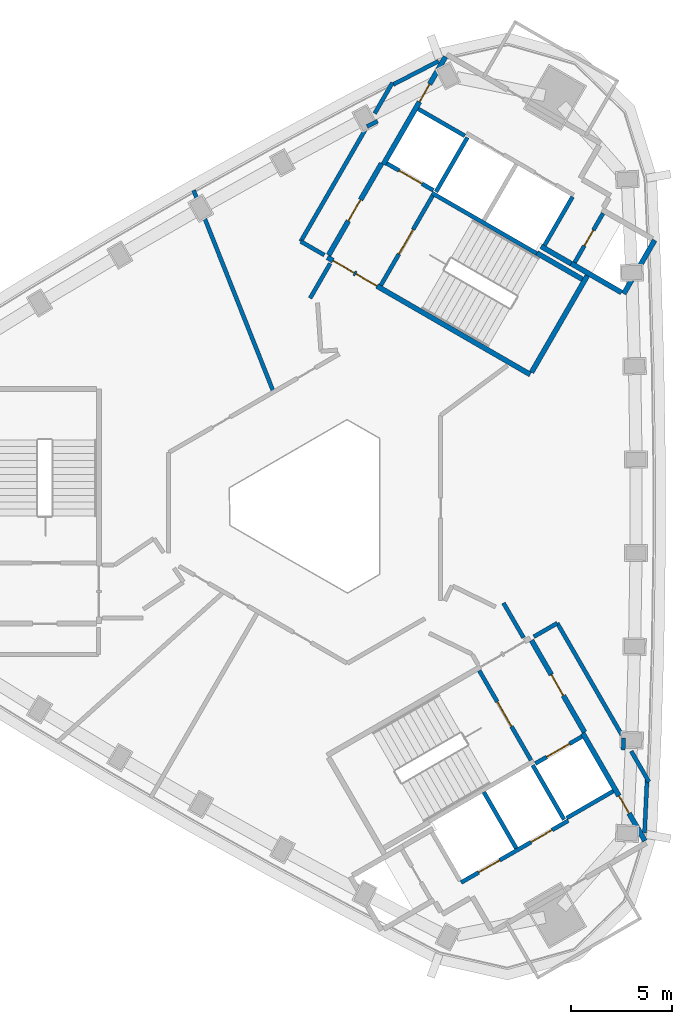
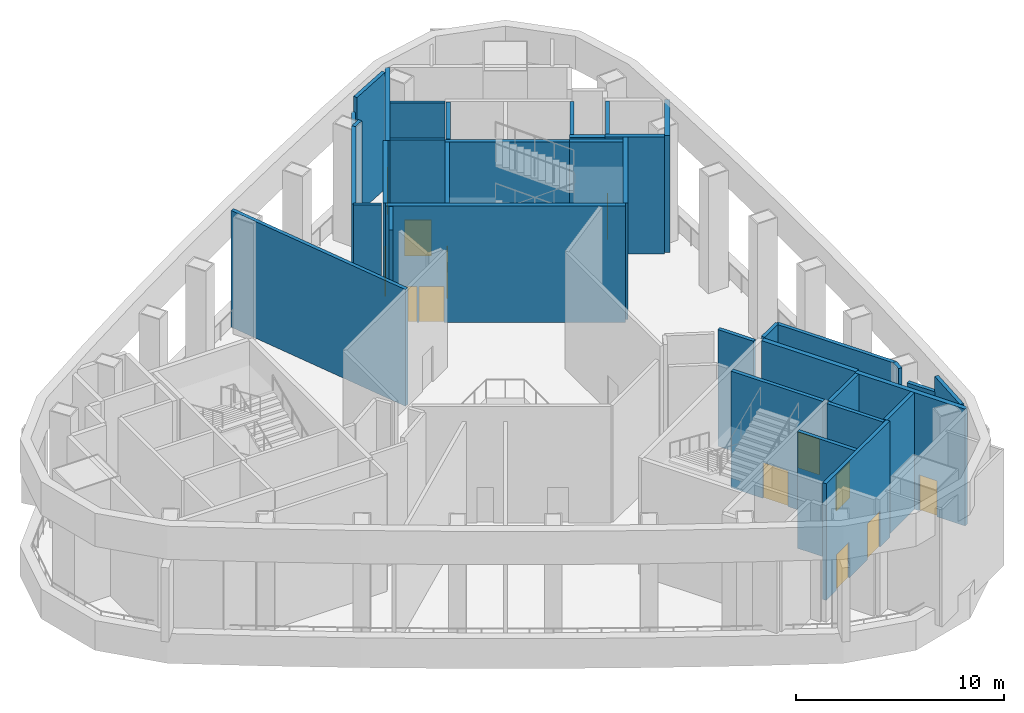
# One storey, part 4 of 8: 36 walls, 13 doors, 13 openings.
"""IFC4 building model written with IfcOpenShell, lengths in metres."""

from ifc_helpers import new_model, si_unit, direction, frame, frame_2d, origin, place, context, subcontext, project, spatial, rectangle, extrude, material, layer, layer_set, type_object, element, fill, save


model = new_model("IFC4")

# Units and contexts
model_context = context("Model", 3, precision=1e-05, world=origin(), true_north=direction((0.0, 1.0)))
body_context = subcontext(model_context, "Body", "Model", "MODEL_VIEW")
ifc_project = project(units=[si_unit("LENGTHUNIT", "METRE"), si_unit("AREAUNIT", "SQUARE_METRE"), si_unit("VOLUMEUNIT", "CUBIC_METRE"), si_unit("PLANEANGLEUNIT", "RADIAN"), si_unit("MASSUNIT", "GRAM", prefix="KILO")], contexts=[model_context])

# Site, building, storey
site_placement = place(None, origin())
site = spatial("IfcSite", under=ifc_project, at=site_placement, CompositionType="ELEMENT")
building_placement = place(site_placement, origin())
building = spatial("IfcBuilding", under=site, at=building_placement, Name="Tamra Quay Hotel Tower", CompositionType="ELEMENT")
storey_placement = place(building_placement, frame((0.0, 0.0, 283.800048828125)))
storey = spatial("IfcBuildingStorey", under=building, at=storey_placement, Name="L72", CompositionType="ELEMENT", Elevation=283.800048828125)

# Wall
ifc_material_1 = material(Name="Concrete M70", Category="concrete")
ifc_layer_1 = layer(ifc_material_1, 0.199951171875)
ifc_layer_set_1 = layer_set([ifc_layer_1], Name="Concrete M70 core wall 200")
wall_type_1 = type_object("IfcWallType", Name="Concrete M70 core wall 200", PredefinedType="SHEAR", material=ifc_layer_set_1)
wall_1_placement = place(storey_placement, frame((10.7431640625, 12.4599609375, 0.0), z_axis=(0.0, 0.0, 1.0), x_axis=(-0.866018848283, 0.500011354289, 0.0)))
element("IfcWall", 1, at=wall_1_placement, inside=storey, type_object=wall_type_1, Name="CW2", PredefinedType="SHEAR", context=body_context, shape_type="SweptSolid", body=[
    extrude(rectangle(XDim=5.973876953125, YDim=0.199951171875, at=frame_2d((2.98681640625, 0.0))), origin(), (0.0, 0.0, 1.0), 6.849853515625),
])

# Wall, opening, door
wall_2_placement = place(storey_placement, frame((3.056640625, 10.89453125, 0.0), z_axis=(0.0, 0.0, 1.0), x_axis=(0.500027839223, 0.866009330205, 0.0)))
wall_2 = element("IfcWall", 2, at=wall_2_placement, inside=storey, type_object=wall_type_1, Name="CW2", PredefinedType="SHEAR", context=body_context, shape_type="SweptSolid", body=[
    extrude(rectangle(XDim=5.097900390625, YDim=0.199951171875, at=frame_2d((2.548828125, 0.0))), origin(), (0.0, 0.0, 1.0), 6.849853515625),
])
opening_1_placement = place(wall_2_placement, frame((1.77392578125, 0.0, 0.0)))
opening_1 = element("IfcOpeningElement", 3, at=opening_1_placement, cuts=wall_2, Name="Opening FD2", PredefinedType="OPENING", context=body_context, shape_type="SweptSolid", body=[
    extrude(rectangle(XDim=1.39990234375, YDim=2.10009765625, at=frame_2d((0.699951171875, 1.050048828125))), frame((0.0, 0.10986328125, 0.0), z_axis=(0.0, -1.0, 0.0), x_axis=(1.0, 0.0, 0.0)), (0.0, 0.0, 1.0), 0.219970703125),
])
ifc_material_2 = material(Name="Core door FD2 1400x2100 LH")
door_type_1 = type_object("IfcDoorType", Name="Core door FD2 1400x2100 LH", OperationType="NOTDEFINED", PredefinedType="DOOR", material=ifc_material_2)
door_1_placement = place(opening_1_placement, origin())
door_1 = element("IfcDoor", 4, at=door_1_placement, inside=storey, type_object=door_type_1, Name="FD2", OperationType="SINGLE_SWING_LEFT", OverallHeight=2.10009765625, OverallWidth=1.39990234375, PredefinedType="DOOR", context=body_context, shape_type="SweptSolid", body=[
    extrude(rectangle(XDim=1.39990234375, YDim=2.10009765625, at=frame_2d((0.699951171875, 1.050048828125))), frame((0.0, 0.02490234375, 0.0), z_axis=(0.0, -1.0, 0.0), x_axis=(1.0, 0.0, 0.0)), (0.0, 0.0, 1.0), 0.050048828125),
])
fill(opening_1, door_1)

wall_3_placement = place(storey_placement, frame((14.0078125, 14.442138671875, 0.0), z_axis=(0.0, 0.0, 1.0), x_axis=(-0.499986818241, -0.866033014143, 0.0)))
wall_3 = element("IfcWall", 5, at=wall_3_placement, inside=storey, type_object=wall_type_1, Name="CW2", PredefinedType="SHEAR", context=body_context, shape_type="SweptSolid", body=[
    extrude(rectangle(XDim=2.7978515625, YDim=0.199951171875, at=frame_2d((1.39892578125, 0.0))), origin(), (0.0, 0.0, 1.0), 6.849853515625),
])
opening_2_placement = place(wall_3_placement, frame((0.948974609375, 0.0, 0.0)))
opening_2 = element("IfcOpeningElement", 6, at=opening_2_placement, cuts=wall_3, Name="Opening D1", PredefinedType="OPENING", context=body_context, shape_type="SweptSolid", body=[
    extrude(rectangle(XDim=0.89990234375, YDim=2.10009765625, at=frame_2d((0.449951171875, 1.050048828125))), frame((0.0, 0.10986328125, 0.0), z_axis=(0.0, -1.0, 0.0), x_axis=(1.0, 0.0, 0.0)), (0.0, 0.0, 1.0), 0.219970703125),
])
ifc_material_3 = material(Name="Core door D1 900x2100 RH")
door_type_2 = type_object("IfcDoorType", Name="Core door D1 900x2100 RH", OperationType="NOTDEFINED", PredefinedType="DOOR", material=ifc_material_3)
door_2_placement = place(opening_2_placement, origin())
door_2 = element("IfcDoor", 7, at=door_2_placement, inside=storey, type_object=door_type_2, Name="D1", OperationType="SINGLE_SWING_RIGHT", OverallHeight=2.10009765625, OverallWidth=0.89990234375, PredefinedType="DOOR", context=body_context, shape_type="SweptSolid", body=[
    extrude(rectangle(XDim=0.89990234375, YDim=2.10009765625, at=frame_2d((0.449951171875, 1.050048828125))), frame((0.0, 0.02490234375, 0.0), z_axis=(0.0, -1.0, 0.0), x_axis=(1.0, 0.0, 0.0)), (0.0, 0.0, 1.0), 0.050048828125),
])
fill(opening_2, door_2)

# Walls
wall_4_placement = place(storey_placement, frame((12.50244140625, 15.2548828125, 0.0), z_axis=(0.0, 0.0, 1.0), x_axis=(-0.499965018551, -0.866045599391, 0.0)))
element("IfcWall", 8, at=wall_4_placement, inside=storey, type_object=wall_type_1, Name="CW2", PredefinedType="SHEAR", context=body_context, shape_type="SweptSolid", body=[
    extrude(rectangle(XDim=2.759033203125, YDim=0.199951171875, at=frame_2d((1.37939453125, 0.0))), origin(), (0.0, 0.0, 1.0), 6.849853515625),
])
wall_5_placement = place(storey_placement, frame((7.324462890625, 18.1865234375, 0.0), z_axis=(0.0, 0.0, 1.0), x_axis=(-0.499967891604, -0.866043940782, 0.0)))
element("IfcWall", 9, at=wall_5_placement, inside=storey, type_object=wall_type_1, Name="CW2", PredefinedType="SHEAR", context=body_context, shape_type="SweptSolid", body=[
    extrude(rectangle(XDim=3.099853515625, YDim=0.199951171875, at=frame_2d((1.5498046875, 0.0))), origin(), (0.0, 0.0, 1.0), 6.849853515625),
])

# Wall, opening, door
wall_6_placement = place(storey_placement, frame((5.646240234375, 15.575927734375, 0.0), z_axis=(0.0, 0.0, 1.0), x_axis=(-0.866018407898, 0.500012117035, 0.0)))
wall_6 = element("IfcWall", 10, at=wall_6_placement, inside=storey, type_object=wall_type_1, Name="CW2", PredefinedType="SHEAR", context=body_context, shape_type="SweptSolid", body=[
    extrude(rectangle(XDim=2.65087890625, YDim=0.199951171875, at=frame_2d((1.325439453125, 0.0))), origin(), (0.0, 0.0, 1.0), 6.849853515625),
])
opening_3_placement = place(wall_6_placement, frame((0.65185546875, 0.0, 0.0)))
opening_3 = element("IfcOpeningElement", 11, at=opening_3_placement, cuts=wall_6, Name="Opening LD", PredefinedType="OPENING", context=body_context, shape_type="SweptSolid", body=[
    extrude(rectangle(XDim=1.300048828125, YDim=2.10009765625, at=frame_2d((0.64990234375, 1.050048828125))), frame((0.0, 0.10986328125, 0.0), z_axis=(0.0, -1.0, 0.0), x_axis=(1.0, 0.0, 0.0)), (0.0, 0.0, 1.0), 0.219970703125),
])
ifc_material_4 = material(Name="Landing door LD 1300 sliding to right")
door_type_3 = type_object("IfcDoorType", Name="Landing door LD 1300 sliding to right", OperationType="NOTDEFINED", PredefinedType="DOOR", material=ifc_material_4)
door_3_placement = place(opening_3_placement, origin())
door_3 = element("IfcDoor", 12, at=door_3_placement, inside=storey, type_object=door_type_3, Name="LD", OperationType="SLIDING_TO_RIGHT", OverallHeight=2.10009765625, OverallWidth=1.300048828125, PredefinedType="DOOR", context=body_context, shape_type="SweptSolid", body=[
    extrude(rectangle(XDim=1.300048828125, YDim=2.10009765625, at=frame_2d((0.64990234375, 1.050048828125))), frame((0.0, 0.02490234375, 0.0), z_axis=(0.0, -1.0, 0.0), x_axis=(1.0, 0.0, 0.0)), (0.0, 0.0, 1.0), 0.050048828125),
])
fill(opening_3, door_3)

# Wall
wall_7_placement = place(storey_placement, frame((7.1962890625, 18.260498046875, 0.0), z_axis=(0.0, 0.0, 1.0), x_axis=(-0.866018407898, 0.500012117035, 0.0)))
element("IfcWall", 13, at=wall_7_placement, inside=storey, type_object=wall_type_1, Name="CW2", PredefinedType="SHEAR", context=body_context, shape_type="SweptSolid", body=[
    extrude(rectangle(XDim=2.65087890625, YDim=0.199951171875, at=frame_2d((1.325439453125, 0.0))), origin(), (0.0, 0.0, 1.0), 6.849853515625),
])

# Wall, openings, doors
wall_8_placement = place(storey_placement, frame((7.009765625, -18.54150390625, 0.0), z_axis=(0.0, 0.0, 1.0), x_axis=(0.866030299012, 0.499991521122, 0.0)))
wall_8 = element("IfcWall", 14, at=wall_8_placement, inside=storey, type_object=wall_type_1, Name="CW2", PredefinedType="SHEAR", context=body_context, shape_type="SweptSolid", body=[
    extrude(rectangle(XDim=6.10009765625, YDim=0.199951171875, at=frame_2d((3.050048828125, 0.0))), origin(), (0.0, 0.0, 1.0), 6.849853515625),
])
opening_4_placement = place(wall_8_placement, frame((1.0, 0.0, 0.0)))
opening_4 = element("IfcOpeningElement", 15, at=opening_4_placement, cuts=wall_8, Name="Opening LD", PredefinedType="OPENING", context=body_context, shape_type="SweptSolid", body=[
    extrude(rectangle(XDim=1.199951171875, YDim=2.10009765625, at=frame_2d((0.60009765625, 1.050048828125))), frame((0.0, 0.10986328125, 0.0), z_axis=(0.0, -1.0, 0.0), x_axis=(1.0, 0.0, 0.0)), (0.0, 0.0, 1.0), 0.219970703125),
])
opening_5_placement = place(wall_8_placement, frame((3.982177734375, 0.0, 0.0)))
opening_5 = element("IfcOpeningElement", 16, at=opening_5_placement, cuts=wall_8, Name="Opening LD", PredefinedType="OPENING", context=body_context, shape_type="SweptSolid", body=[
    extrude(rectangle(XDim=1.199951171875, YDim=2.10009765625, at=frame_2d((0.60009765625, 1.050048828125))), frame((0.0, 0.10986328125, 0.0), z_axis=(0.0, -1.0, 0.0), x_axis=(1.0, 0.0, 0.0)), (0.0, 0.0, 1.0), 0.219970703125),
])
ifc_material_5 = material(Name="Landing door LD 1200 double door sliding")
door_type_4 = type_object("IfcDoorType", Name="Landing door LD 1200 double door sliding", OperationType="DOUBLE_DOOR_SLIDING", PredefinedType="DOOR", material=ifc_material_5)
door_4_placement = place(opening_4_placement, origin())
door_4 = element("IfcDoor", 17, at=door_4_placement, inside=storey, type_object=door_type_4, Name="LD", OperationType="DOUBLE_DOOR_SLIDING", OverallHeight=2.10009765625, OverallWidth=1.199951171875, PredefinedType="DOOR", context=body_context, shape_type="SweptSolid", body=[
    extrude(rectangle(XDim=1.199951171875, YDim=2.10009765625, at=frame_2d((0.60009765625, 1.050048828125))), frame((0.0, 0.02490234375, 0.0), z_axis=(0.0, -1.0, 0.0), x_axis=(1.0, 0.0, 0.0)), (0.0, 0.0, 1.0), 0.050048828125),
])
fill(opening_4, door_4)
door_5_placement = place(opening_5_placement, origin())
door_5 = element("IfcDoor", 18, at=door_5_placement, inside=storey, type_object=door_type_4, Name="LD", OperationType="DOUBLE_DOOR_SLIDING", OverallHeight=2.10009765625, OverallWidth=1.199951171875, PredefinedType="DOOR", context=body_context, shape_type="SweptSolid", body=[
    extrude(rectangle(XDim=1.199951171875, YDim=2.10009765625, at=frame_2d((0.60009765625, 1.050048828125))), frame((0.0, 0.02490234375, 0.0), z_axis=(0.0, -1.0, 0.0), x_axis=(1.0, 0.0, 0.0)), (0.0, 0.0, 1.0), 0.050048828125),
])
fill(opening_5, door_5)

# Wall, opening, door
wall_9_placement = place(storey_placement, frame((7.906494140625, -8.094482421875, 0.0), z_axis=(0.0, 0.0, 1.0), x_axis=(0.500027839223, -0.866009330205, 0.0)))
wall_9 = element("IfcWall", 19, at=wall_9_placement, inside=storey, type_object=wall_type_1, Name="CW2", PredefinedType="SHEAR", context=body_context, shape_type="SweptSolid", body=[
    extrude(rectangle(XDim=5.097900390625, YDim=0.199951171875, at=frame_2d((2.548828125, 0.0))), origin(), (0.0, 0.0, 1.0), 6.849853515625),
])
opening_6_placement = place(wall_9_placement, frame((1.77392578125, 0.0, 0.0)))
opening_6 = element("IfcOpeningElement", 20, at=opening_6_placement, cuts=wall_9, Name="Opening FD2", PredefinedType="OPENING", context=body_context, shape_type="SweptSolid", body=[
    extrude(rectangle(XDim=1.39990234375, YDim=2.10009765625, at=frame_2d((0.699951171875, 1.050048828125))), frame((0.0, 0.10986328125, 0.0), z_axis=(0.0, -1.0, 0.0), x_axis=(1.0, 0.0, 0.0)), (0.0, 0.0, 1.0), 0.219970703125),
])
ifc_material_6 = material(Name="Core door FD2 1400x2100 RH")
door_type_5 = type_object("IfcDoorType", Name="Core door FD2 1400x2100 RH", OperationType="NOTDEFINED", PredefinedType="DOOR", material=ifc_material_6)
door_6_placement = place(opening_6_placement, origin())
door_6 = element("IfcDoor", 21, at=door_6_placement, inside=storey, type_object=door_type_5, Name="FD2", OperationType="SINGLE_SWING_RIGHT", OverallHeight=2.10009765625, OverallWidth=1.39990234375, PredefinedType="DOOR", context=body_context, shape_type="SweptSolid", body=[
    extrude(rectangle(XDim=1.39990234375, YDim=2.10009765625, at=frame_2d((0.699951171875, 1.050048828125))), frame((0.0, 0.02490234375, 0.0), z_axis=(0.0, -1.0, 0.0), x_axis=(1.0, 0.0, 0.0)), (0.0, 0.0, 1.0), 0.050048828125),
])
fill(opening_6, door_6)

# Walls
wall_10_placement = place(storey_placement, frame((8.131591796875, -14.084228515625, 0.0), z_axis=(0.0, 0.0, 1.0), x_axis=(0.499997778408, -0.866026686418, 0.0)))
element("IfcWall", 22, at=wall_10_placement, inside=storey, type_object=wall_type_1, Name="CW2", PredefinedType="SHEAR", context=body_context, shape_type="SweptSolid", body=[
    extrude(rectangle(XDim=3.1982421875, YDim=0.199951171875, at=frame_2d((1.59912109375, 0.0))), origin(), (0.0, 0.0, 1.0), 6.849853515625),
])
wall_11_placement = place(storey_placement, frame((12.087646484375, -15.4365234375, 0.0), z_axis=(0.0, 0.0, 1.0), x_axis=(-0.500026960575, 0.86600983753, 0.0)))
element("IfcWall", 23, at=wall_11_placement, inside=storey, type_object=wall_type_1, Name="CW2", PredefinedType="SHEAR", context=body_context, shape_type="SweptSolid", body=[
    extrude(rectangle(XDim=3.099853515625, YDim=0.199951171875, at=frame_2d((1.5498046875, 0.0))), origin(), (0.0, 0.0, 1.0), 6.849853515625),
])

# Wall, opening, door
wall_12_placement = place(storey_placement, frame((10.666015625, -12.677734375, 0.0), z_axis=(0.0, 0.0, 1.0), x_axis=(0.866018407898, 0.500012117035, 0.0)))
wall_12 = element("IfcWall", 24, at=wall_12_placement, inside=storey, type_object=wall_type_1, Name="CW2", PredefinedType="SHEAR", context=body_context, shape_type="SweptSolid", body=[
    extrude(rectangle(XDim=2.65087890625, YDim=0.199951171875, at=frame_2d((1.325439453125, 0.0))), origin(), (0.0, 0.0, 1.0), 6.849853515625),
])
opening_7_placement = place(wall_12_placement, frame((0.65185546875, 0.0, 0.0)))
opening_7 = element("IfcOpeningElement", 25, at=opening_7_placement, cuts=wall_12, Name="Opening LD", PredefinedType="OPENING", context=body_context, shape_type="SweptSolid", body=[
    extrude(rectangle(XDim=1.300048828125, YDim=2.10009765625, at=frame_2d((0.64990234375, 1.050048828125))), frame((0.0, 0.10986328125, 0.0), z_axis=(0.0, -1.0, 0.0), x_axis=(1.0, 0.0, 0.0)), (0.0, 0.0, 1.0), 0.219970703125),
])
ifc_material_7 = material(Name="Landing door LD 1300 sliding to left")
door_type_6 = type_object("IfcDoorType", Name="Landing door LD 1300 sliding to left", OperationType="NOTDEFINED", PredefinedType="DOOR", material=ifc_material_7)
door_7_placement = place(opening_7_placement, origin())
door_7 = element("IfcDoor", 26, at=door_7_placement, inside=storey, type_object=door_type_6, Name="LD", OperationType="SLIDING_TO_LEFT", OverallHeight=2.10009765625, OverallWidth=1.300048828125, PredefinedType="DOOR", context=body_context, shape_type="SweptSolid", body=[
    extrude(rectangle(XDim=1.300048828125, YDim=2.10009765625, at=frame_2d((0.64990234375, 1.050048828125))), frame((0.0, 0.02490234375, 0.0), z_axis=(0.0, -1.0, 0.0), x_axis=(1.0, 0.0, 0.0)), (0.0, 0.0, 1.0), 0.050048828125),
])
fill(opening_7, door_7)

# Wall
wall_13_placement = place(storey_placement, frame((14.51171875, -14.037109375, 0.0), z_axis=(0.0, 0.0, 1.0), x_axis=(-0.866018407898, -0.500012117035, 0.0)))
element("IfcWall", 27, at=wall_13_placement, inside=storey, type_object=wall_type_1, Name="CW2", PredefinedType="SHEAR", context=body_context, shape_type="SweptSolid", body=[
    extrude(rectangle(XDim=2.65087890625, YDim=0.199951171875, at=frame_2d((1.325439453125, 0.0))), origin(), (0.0, 0.0, 1.0), 6.849853515625),
])

# Wall, openings, doors
ifc_layer_2 = layer(ifc_material_1, 0.25)
ifc_layer_set_2 = layer_set([ifc_layer_2], Name="Concrete M70 core wall 250")
wall_type_2 = type_object("IfcWallType", Name="Concrete M70 core wall 250", PredefinedType="SHEAR", material=ifc_layer_set_2)
wall_14_placement = place(storey_placement, frame((10.419921875, 6.497802734375, 0.0), z_axis=(0.0, 0.0, 1.0), x_axis=(-0.866021906294, 0.500006057782, 0.0)))
wall_14 = element("IfcWall", 28, at=wall_14_placement, inside=storey, type_object=wall_type_2, Name="CW1", PredefinedType="SHEAR", context=body_context, shape_type="SweptSolid", body=[
    extrude(rectangle(XDim=11.550048828125, YDim=0.25, at=frame_2d((5.77490234375, 0.0))), origin(), (0.0, 0.0, 1.0), 6.849853515625),
])
opening_8_placement = place(wall_14_placement, frame((10.02490234375, 0.0, 0.0)))
opening_8 = element("IfcOpeningElement", 29, at=opening_8_placement, cuts=wall_14, Name="Opening FD1", PredefinedType="OPENING", context=body_context, shape_type="SweptSolid", body=[
    extrude(rectangle(XDim=1.199951171875, YDim=2.10009765625, at=frame_2d((0.60009765625, 1.050048828125))), frame((0.0, 0.135009765625, 0.0), z_axis=(0.0, -1.0, 0.0), x_axis=(1.0, 0.0, 0.0)), (0.0, 0.0, 1.0), 0.27001953125),
])
opening_9_placement = place(wall_14_placement, frame((8.724853515625, 0.0, 0.0)))
opening_9 = element("IfcOpeningElement", 30, at=opening_9_placement, cuts=wall_14, Name="Opening FD1", PredefinedType="OPENING", context=body_context, shape_type="SweptSolid", body=[
    extrude(rectangle(XDim=1.199951171875, YDim=2.10009765625, at=frame_2d((0.60009765625, 1.050048828125))), frame((0.0, 0.135009765625, 0.0), z_axis=(0.0, -1.0, 0.0), x_axis=(1.0, 0.0, 0.0)), (0.0, 0.0, 1.0), 0.27001953125),
])
ifc_material_8 = material(Name="Core door FD1 1200x2100 LH")
door_type_7 = type_object("IfcDoorType", Name="Core door FD1 1200x2100 LH", OperationType="NOTDEFINED", PredefinedType="DOOR", material=ifc_material_8)
door_8_placement = place(opening_8_placement, origin())
door_8 = element("IfcDoor", 31, at=door_8_placement, inside=storey, type_object=door_type_7, Name="FD1", OperationType="SINGLE_SWING_LEFT", OverallHeight=2.10009765625, OverallWidth=1.199951171875, PredefinedType="DOOR", context=body_context, shape_type="SweptSolid", body=[
    extrude(rectangle(XDim=1.199951171875, YDim=2.10009765625, at=frame_2d((0.60009765625, 1.050048828125))), frame((0.0, 0.02490234375, 0.0), z_axis=(0.0, -1.0, 0.0), x_axis=(1.0, 0.0, 0.0)), (0.0, 0.0, 1.0), 0.050048828125),
])
fill(opening_8, door_8)
ifc_material_9 = material(Name="Core door FD1 1200x2100 RH")
door_type_8 = type_object("IfcDoorType", Name="Core door FD1 1200x2100 RH", OperationType="NOTDEFINED", PredefinedType="DOOR", material=ifc_material_9)
door_9_placement = place(opening_9_placement, origin())
door_9 = element("IfcDoor", 32, at=door_9_placement, inside=storey, type_object=door_type_8, Name="FD1", OperationType="SINGLE_SWING_RIGHT", OverallHeight=2.10009765625, OverallWidth=1.199951171875, PredefinedType="DOOR", context=body_context, shape_type="SweptSolid", body=[
    extrude(rectangle(XDim=1.199951171875, YDim=2.10009765625, at=frame_2d((0.60009765625, 1.050048828125))), frame((0.0, 0.02490234375, 0.0), z_axis=(0.0, -1.0, 0.0), x_axis=(1.0, 0.0, 0.0)), (0.0, 0.0, 1.0), 0.050048828125),
])
fill(opening_9, door_9)

# Wall, opening, door
wall_15_placement = place(storey_placement, frame((3.178955078125, 16.856201171875, 0.0), z_axis=(0.0, 0.0, 1.0), x_axis=(0.500001955336, 0.866024274868, 0.0)))
wall_15 = element("IfcWall", 33, at=wall_15_placement, inside=storey, type_object=wall_type_2, Name="CW1", PredefinedType="SHEAR", context=body_context, shape_type="SweptSolid", body=[
    extrude(rectangle(XDim=6.12451171875, YDim=0.25, at=frame_2d((3.062255859375, 0.0))), origin(), (0.0, 0.0, 1.0), 6.849853515625),
])
opening_10_placement = place(wall_15_placement, frame((3.562744140625, 0.0, 0.0)))
opening_10 = element("IfcOpeningElement", 34, at=opening_10_placement, cuts=wall_15, Name="Opening FD3", PredefinedType="OPENING", context=body_context, shape_type="SweptSolid", body=[
    extrude(rectangle(XDim=1.0, YDim=2.10009765625, at=frame_2d((0.5, 1.050048828125))), frame((0.0, 0.135009765625, 0.0), z_axis=(0.0, -1.0, 0.0), x_axis=(1.0, 0.0, 0.0)), (0.0, 0.0, 1.0), 0.27001953125),
])
ifc_material_10 = material(Name="Core door FD3 1000x2100 LH")
door_type_9 = type_object("IfcDoorType", Name="Core door FD3 1000x2100 LH", OperationType="NOTDEFINED", PredefinedType="DOOR", material=ifc_material_10)
door_10_placement = place(opening_10_placement, origin())
door_10 = element("IfcDoor", 35, at=door_10_placement, inside=storey, type_object=door_type_9, Name="FD3", OperationType="SINGLE_SWING_LEFT", OverallHeight=2.10009765625, OverallWidth=1.0, PredefinedType="DOOR", context=body_context, shape_type="SweptSolid", body=[
    extrude(rectangle(XDim=1.0, YDim=2.10009765625, at=frame_2d((0.5, 1.050048828125))), frame((0.0, 0.02490234375, 0.0), z_axis=(0.0, -1.0, 0.0), x_axis=(1.0, 0.0, 0.0)), (0.0, 0.0, 1.0), 0.050048828125),
])
fill(opening_10, door_10)

wall_16_placement = place(storey_placement, frame((0.47998046875, 12.38134765625, 0.0), z_axis=(0.0, 0.0, 1.0), x_axis=(0.49999885962, 0.866026062182, 0.0)))
wall_16 = element("IfcWall", 36, at=wall_16_placement, inside=storey, type_object=wall_type_2, Name="CW1", PredefinedType="SHEAR", context=body_context, shape_type="SweptSolid", body=[
    extrude(rectangle(XDim=5.224609375, YDim=0.25, at=frame_2d((2.6123046875, 0.0))), origin(), (0.0, 0.0, 1.0), 6.849853515625),
])
opening_11_placement = place(wall_16_placement, frame((1.949462890625, 0.0, 0.0)))
opening_11 = element("IfcOpeningElement", 37, at=opening_11_placement, cuts=wall_16, Name="Opening FD1", PredefinedType="OPENING", context=body_context, shape_type="SweptSolid", body=[
    extrude(rectangle(XDim=1.199951171875, YDim=2.10009765625, at=frame_2d((0.60009765625, 1.050048828125))), frame((0.0, 0.135009765625, 0.0), z_axis=(0.0, -1.0, 0.0), x_axis=(1.0, 0.0, 0.0)), (0.0, 0.0, 1.0), 0.27001953125),
])
door_11_placement = place(opening_11_placement, origin())
door_11 = element("IfcDoor", 38, at=door_11_placement, inside=storey, type_object=door_type_7, Name="FD1", OperationType="SINGLE_SWING_LEFT", OverallHeight=2.10009765625, OverallWidth=1.199951171875, PredefinedType="DOOR", context=body_context, shape_type="SweptSolid", body=[
    extrude(rectangle(XDim=1.199951171875, YDim=2.10009765625, at=frame_2d((0.60009765625, 1.050048828125))), frame((0.0, 0.02490234375, 0.0), z_axis=(0.0, -1.0, 0.0), x_axis=(1.0, 0.0, 0.0)), (0.0, 0.0, 1.0), 0.050048828125),
])
fill(opening_11, door_11)

# Walls
wall_17_placement = place(storey_placement, frame((13.237548828125, 11.3779296875, 0.0), z_axis=(0.0, 0.0, 1.0), x_axis=(-0.500008851346, -0.866020293397, 0.0)))
element("IfcWall", 39, at=wall_17_placement, inside=storey, type_object=wall_type_2, Name="CW1", PredefinedType="SHEAR", context=body_context, shape_type="SweptSolid", body=[
    extrude(rectangle(XDim=5.509765625, YDim=0.25, at=frame_2d((2.7548828125, 0.0))), origin(), (0.0, 0.0, 1.0), 6.849853515625),
])
wall_18_placement = place(storey_placement, frame((16.552001953125, 13.118896484375, 0.0), z_axis=(0.0, 0.0, 1.0), x_axis=(-0.499978833458, -0.866037623948, 0.0)))
element("IfcWall", 40, at=wall_18_placement, inside=storey, type_object=wall_type_2, Name="CW1", PredefinedType="SHEAR", context=body_context, shape_type="SweptSolid", body=[
    extrude(rectangle(XDim=3.050048828125, YDim=0.25, at=frame_2d((1.52490234375, 0.0))), origin(), (0.0, 0.0, 1.0), 6.849853515625),
])
wall_19_placement = place(storey_placement, frame((14.91845703125, 10.540283203125, 0.0), z_axis=(0.0, 0.0, 1.0), x_axis=(-0.866063538972, 0.499933942099, 0.0)))
element("IfcWall", 41, at=wall_19_placement, inside=storey, type_object=wall_type_2, Name="CW1", PredefinedType="SHEAR", context=body_context, shape_type="SweptSolid", body=[
    extrude(rectangle(XDim=2.86474609375, YDim=0.25, at=frame_2d((1.432373046875, 0.0))), origin(), (0.0, 0.0, 1.0), 6.849853515625),
])
wall_20_placement = place(storey_placement, frame((10.756591796875, 12.481201171875, 0.0), z_axis=(0.0, 0.0, 1.0), x_axis=(0.866022940537, -0.500004266446, 0.0)))
element("IfcWall", 42, at=wall_20_placement, inside=storey, type_object=wall_type_2, Name="CW1", PredefinedType="SHEAR", context=body_context, shape_type="SweptSolid", body=[
    extrude(rectangle(XDim=2.57470703125, YDim=0.25, at=frame_2d((1.287353515625, 0.0))), origin(), (0.0, 0.0, 1.0), 6.849853515625),
])
wall_21_placement = place(storey_placement, frame((12.4326171875, 11.9638671875, 0.0), z_axis=(0.0, 0.0, 1.0), x_axis=(-0.866038183914, 0.499977863513, 0.0)))
element("IfcWall", 43, at=wall_21_placement, inside=storey, type_object=wall_type_2, Name="CW1", PredefinedType="SHEAR", context=body_context, shape_type="SweptSolid", body=[
    extrude(rectangle(XDim=1.7099609375, YDim=0.25, at=frame_2d((0.85498046875, 0.0))), origin(), (0.0, 0.0, 1.0), 6.849853515625),
])

# Wall, opening, door
wall_22_placement = place(storey_placement, frame((13.00830078125, -11.18115234375, 0.0), z_axis=(0.0, 0.0, 1.0), x_axis=(0.500001955336, -0.866024274868, 0.0)))
wall_22 = element("IfcWall", 44, at=wall_22_placement, inside=storey, type_object=wall_type_2, Name="CW1", PredefinedType="SHEAR", context=body_context, shape_type="SweptSolid", body=[
    extrude(rectangle(XDim=6.12451171875, YDim=0.25, at=frame_2d((3.062255859375, 0.0))), origin(), (0.0, 0.0, 1.0), 6.849853515625),
])
opening_12_placement = place(wall_22_placement, frame((3.562744140625, 0.0, 0.0)))
opening_12 = element("IfcOpeningElement", 45, at=opening_12_placement, cuts=wall_22, Name="Opening FD3", PredefinedType="OPENING", context=body_context, shape_type="SweptSolid", body=[
    extrude(rectangle(XDim=1.0, YDim=2.10009765625, at=frame_2d((0.5, 1.050048828125))), frame((0.0, 0.135009765625, 0.0), z_axis=(0.0, -1.0, 0.0), x_axis=(1.0, 0.0, 0.0)), (0.0, 0.0, 1.0), 0.27001953125),
])
door_12_placement = place(opening_12_placement, origin())
door_12 = element("IfcDoor", 46, at=door_12_placement, inside=storey, type_object=door_type_9, Name="FD3", OperationType="SINGLE_SWING_LEFT", OverallHeight=2.10009765625, OverallWidth=1.0, PredefinedType="DOOR", context=body_context, shape_type="SweptSolid", body=[
    extrude(rectangle(XDim=1.0, YDim=2.10009765625, at=frame_2d((0.5, 1.050048828125))), frame((0.0, 0.02490234375, 0.0), z_axis=(0.0, -1.0, 0.0), x_axis=(1.0, 0.0, 0.0)), (0.0, 0.0, 1.0), 0.050048828125),
])
fill(opening_12, door_12)

wall_23_placement = place(storey_placement, frame((10.482666015625, -6.6064453125, 0.0), z_axis=(0.0, 0.0, 1.0), x_axis=(0.49999885962, -0.866026062182, 0.0)))
wall_23 = element("IfcWall", 47, at=wall_23_placement, inside=storey, type_object=wall_type_2, Name="CW1", PredefinedType="SHEAR", context=body_context, shape_type="SweptSolid", body=[
    extrude(rectangle(XDim=5.224609375, YDim=0.25, at=frame_2d((2.6123046875, 0.0))), origin(), (0.0, 0.0, 1.0), 6.849853515625),
])
opening_13_placement = place(wall_23_placement, frame((1.94970703125, 0.0, 0.0)))
opening_13 = element("IfcOpeningElement", 48, at=opening_13_placement, cuts=wall_23, Name="Opening FD1", PredefinedType="OPENING", context=body_context, shape_type="SweptSolid", body=[
    extrude(rectangle(XDim=1.199951171875, YDim=2.10009765625, at=frame_2d((0.60009765625, 1.050048828125))), frame((0.0, 0.135009765625, 0.0), z_axis=(0.0, -1.0, 0.0), x_axis=(1.0, 0.0, 0.0)), (0.0, 0.0, 1.0), 0.27001953125),
])
door_13_placement = place(opening_13_placement, origin())
door_13 = element("IfcDoor", 49, at=door_13_placement, inside=storey, type_object=door_type_7, Name="FD1", OperationType="SINGLE_SWING_LEFT", OverallHeight=2.10009765625, OverallWidth=1.199951171875, PredefinedType="DOOR", context=body_context, shape_type="SweptSolid", body=[
    extrude(rectangle(XDim=1.199951171875, YDim=2.10009765625, at=frame_2d((0.60009765625, 1.050048828125))), frame((0.0, 0.02490234375, 0.0), z_axis=(0.0, -1.0, 0.0), x_axis=(1.0, 0.0, 0.0)), (0.0, 0.0, 1.0), 0.050048828125),
])
fill(opening_13, door_13)

# Walls
ifc_material_11 = material(Name="Partition corridor wall")
ifc_layer_3 = layer(ifc_material_11, 0.199951171875)
ifc_layer_set_3 = layer_set([ifc_layer_3], Name="Partition corridor wall")
wall_type_3 = type_object("IfcWallType", Name="Partition corridor wall", PredefinedType="PARTITIONING", material=ifc_layer_set_3)
wall_24_placement = place(storey_placement, frame((-0.89111328125, 13.056884765625, 0.0), z_axis=(0.0, 0.0, 1.0), x_axis=(0.866082447003, -0.499901185229, 0.0)))
element("IfcWall", 50, at=wall_24_placement, inside=storey, type_object=wall_type_3, Name="W-C", PredefinedType="PARTITIONING", context=body_context, shape_type="SweptSolid", body=[
    extrude(rectangle(XDim=1.340087890625, YDim=0.199951171875, at=frame_2d((0.669921875, 0.0))), origin(), (0.0, 0.0, 1.0), 6.849853515625),
])
wall_25_placement = place(storey_placement, frame((-0.890869140625, 13.056884765625, 0.0), z_axis=(0.0, 0.0, 1.0), x_axis=(0.499999420379, 0.866025738428, 0.0)))
element("IfcWall", 51, at=wall_25_placement, inside=storey, type_object=wall_type_3, Name="W-C", PredefinedType="PARTITIONING", context=body_context, shape_type="SweptSolid", body=[
    extrude(rectangle(XDim=6.53662109375, YDim=0.199951171875, at=frame_2d((3.268310546875, 0.0))), origin(), (0.0, 0.0, 1.0), 6.849853515625),
])
wall_26_placement = place(storey_placement, frame((-0.429931640625, 10.259033203125, 0.0), z_axis=(0.0, 0.0, 1.0), x_axis=(0.500429403118, 0.865777345797, 0.0)))
element("IfcWall", 52, at=wall_26_placement, inside=storey, type_object=wall_type_3, Name="W-C", PredefinedType="PARTITIONING", context=body_context, shape_type="SweptSolid", body=[
    extrude(rectangle(XDim=1.982666015625, YDim=0.199951171875, at=frame_2d((0.9912109375, 0.0))), origin(), (0.0, 0.0, 1.0), 6.849853515625),
])
wall_27_placement = place(storey_placement, frame((2.376953125, 18.718017578125, 0.0), z_axis=(0.0, 0.0, 1.0), x_axis=(0.885009189366, 0.465573554595, 0.0)))
element("IfcWall", 53, at=wall_27_placement, inside=storey, type_object=wall_type_3, Name="W-C", PredefinedType="PARTITIONING", context=body_context, shape_type="SweptSolid", body=[
    extrude(rectangle(XDim=0.58203125, YDim=0.199951171875, at=frame_2d((0.291015625, 0.0))), origin(), (0.0, 0.0, 1.0), 6.849853515625),
])
wall_28_placement = place(storey_placement, frame((2.7509765625, 19.364990234375, 0.0), z_axis=(0.0, 0.0, 1.0), x_axis=(0.499952011761, 0.866053108034, 0.0)))
element("IfcWall", 54, at=wall_28_placement, inside=storey, type_object=wall_type_3, Name="W-C", PredefinedType="PARTITIONING", context=body_context, shape_type="SweptSolid", body=[
    extrude(rectangle(XDim=1.749267578125, YDim=0.199951171875, at=frame_2d((0.87451171875, 0.0))), origin(), (0.0, 0.0, 1.0), 5.949951171875),
])
wall_29_placement = place(storey_placement, frame((3.6650390625, 20.791015625, 0.0), z_axis=(0.0, 0.0, 1.0), x_axis=(0.8885404224, 0.458798341063, 0.0)))
element("IfcWall", 55, at=wall_29_placement, inside=storey, type_object=wall_type_3, Name="W-C", PredefinedType="PARTITIONING", context=body_context, shape_type="SweptSolid", body=[
    extrude(rectangle(XDim=2.520751953125, YDim=0.199951171875, at=frame_2d((1.26025390625, 0.0))), origin(), (0.0, 0.0, 1.0), 6.849853515625),
])
wall_30_placement = place(storey_placement, frame((9.10009765625, -4.764892578125, 0.0), z_axis=(0.0, 0.0, 1.0), x_axis=(0.500948590405, -0.865477041736, 0.0)))
element("IfcWall", 56, at=wall_30_placement, inside=storey, type_object=wall_type_3, Name="W-C", PredefinedType="PARTITIONING", context=body_context, shape_type="SweptSolid", body=[
    extrude(rectangle(XDim=1.975830078125, YDim=0.199951171875, at=frame_2d((0.98779296875, 0.0))), origin(), (0.0, 0.0, 1.0), 6.849853515625),
])
wall_31_placement = place(storey_placement, frame((10.592529296875, -6.4267578125, 0.0), z_axis=(0.0, 0.0, 1.0), x_axis=(0.866115802186, 0.499843392678, 0.0)))
element("IfcWall", 57, at=wall_31_placement, inside=storey, type_object=wall_type_3, Name="W-C", PredefinedType="PARTITIONING", context=body_context, shape_type="SweptSolid", body=[
    extrude(rectangle(XDim=1.33984375, YDim=0.199951171875, at=frame_2d((0.669921875, 0.0))), origin(), (0.0, 0.0, 1.0), 6.849853515625),
])
wall_32_placement = place(storey_placement, frame((11.751708984375, -5.7578125, 0.0), z_axis=(0.0, 0.0, 1.0), x_axis=(0.500199816633, -0.865910008858, 0.0)))
element("IfcWall", 58, at=wall_32_placement, inside=storey, type_object=wall_type_3, Name="W-C", PredefinedType="PARTITIONING", context=body_context, shape_type="SweptSolid", body=[
    extrude(rectangle(XDim=6.536865234375, YDim=0.199951171875, at=frame_2d((3.2685546875, 0.0))), origin(), (0.0, 0.0, 1.0), 6.849853515625),
])
wall_33_placement = place(storey_placement, frame((14.9990234375, -11.9990234375, 0.0), z_axis=(0.0, 0.0, 1.0), x_axis=(0.039465029208, 0.999220952277, 0.0)))
element("IfcWall", 59, at=wall_33_placement, inside=storey, type_object=wall_type_3, Name="W-C", PredefinedType="PARTITIONING", context=body_context, shape_type="SweptSolid", body=[
    extrude(rectangle(XDim=0.58154296875, YDim=0.199951171875, at=frame_2d((0.290771484375, 0.0))), origin(), (0.0, 0.0, 1.0), 6.849853515625),
])
wall_34_placement = place(storey_placement, frame((15.39501953125, -12.06494140625, 0.0), z_axis=(0.0, 0.0, 1.0), x_axis=(0.500177586754, -0.865922849744, 0.0)))
element("IfcWall", 60, at=wall_34_placement, inside=storey, type_object=wall_type_3, Name="W-C", PredefinedType="PARTITIONING", context=body_context, shape_type="SweptSolid", body=[
    extrude(rectangle(XDim=1.748779296875, YDim=0.199951171875, at=frame_2d((0.87451171875, 0.0))), origin(), (0.0, 0.0, 1.0), 5.949951171875),
])
wall_35_placement = place(storey_placement, frame((16.054931640625, -16.088134765625, 0.0), z_axis=(0.0, 0.0, 1.0), x_axis=(0.046937929303, 0.998897807983, 0.0)))
element("IfcWall", 61, at=wall_35_placement, inside=storey, type_object=wall_type_3, Name="W-C", PredefinedType="PARTITIONING", context=body_context, shape_type="SweptSolid", body=[
    extrude(rectangle(XDim=2.6630859375, YDim=0.199951171875, at=frame_2d((1.33154296875, 0.0))), origin(), (0.0, 0.0, 1.0), 6.849853515625),
])
ifc_material_12 = material(Name="Partition party wall")
ifc_layer_4 = layer(ifc_material_12, 0.199951171875)
ifc_layer_set_4 = layer_set([ifc_layer_4], Name="Partition party wall")
wall_type_4 = type_object("IfcWallType", Name="Partition party wall", PredefinedType="PARTITIONING", material=ifc_layer_set_4)
wall_36_placement = place(storey_placement, frame((-6.17333984375, 15.577392578125, 0.0), z_axis=(0.0, 0.0, 1.0), x_axis=(0.368423588366, -0.929658033653, 0.0)))
element("IfcWall", 62, at=wall_36_placement, inside=storey, type_object=wall_type_4, Name="W-P", PredefinedType="PARTITIONING", context=body_context, shape_type="SweptSolid", body=[
    extrude(rectangle(XDim=10.689453125, YDim=0.199951171875, at=frame_2d((5.3447265625, 0.0))), origin(), (0.0, 0.0, 1.0), 6.849853515625),
])

save(model, "model.ifc")
